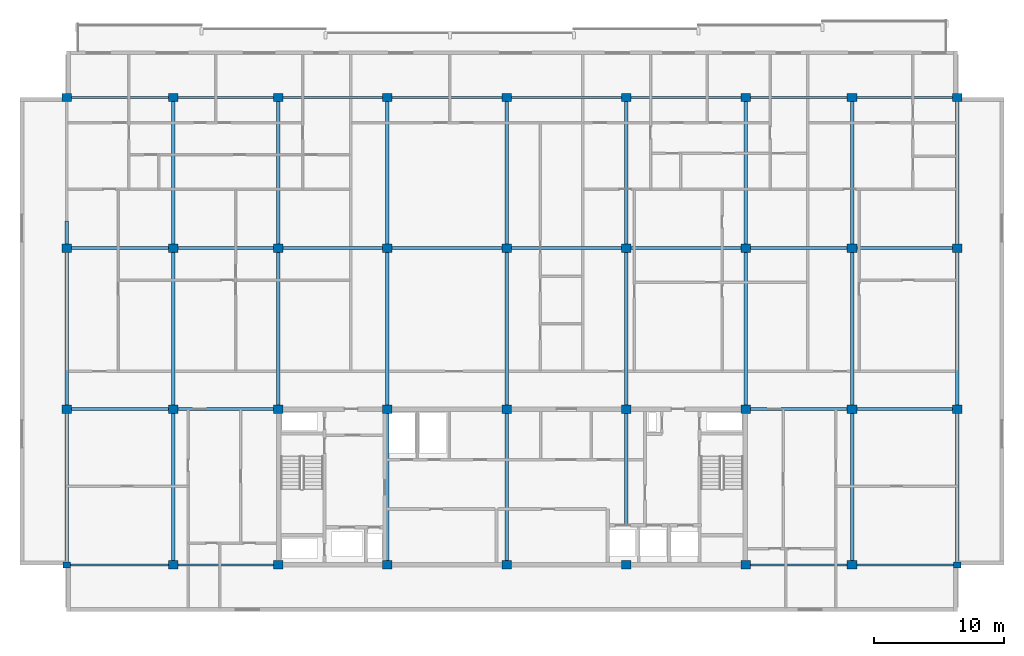
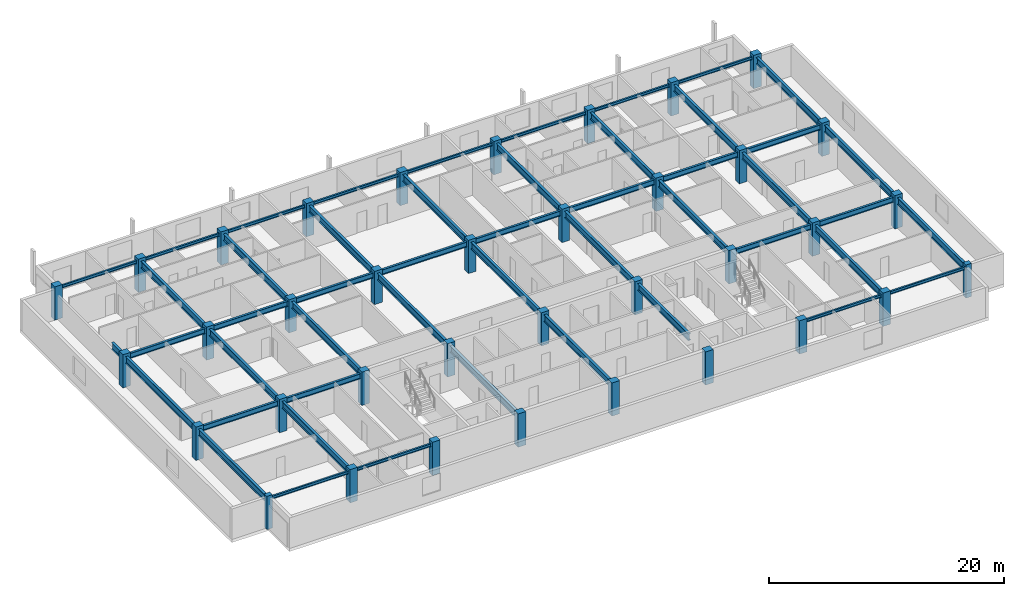
# One storey, part 1 of 10: 49 beams, 36 columns.
"""IFC4 building model written with IfcOpenShell, lengths in metres."""

from ifc_helpers import new_model, si_unit, direction, frame, origin, origin_2d, place, context, subcontext, project, spatial, rectangle, i_section, extrude, material, material_profile, profile_set, type_object, element, save


model = new_model("IFC4")

# Units and contexts
model_context = context("Model", 3, precision=1e-05, world=origin(), true_north=direction((0.0, 1.0)))
body_context = subcontext(model_context, "Body", "Model", "MODEL_VIEW")
ifc_project = project(units=[si_unit("LENGTHUNIT", "METRE"), si_unit("AREAUNIT", "SQUARE_METRE"), si_unit("VOLUMEUNIT", "CUBIC_METRE"), si_unit("PLANEANGLEUNIT", "RADIAN"), si_unit("MASSUNIT", "GRAM", prefix="KILO")], contexts=[model_context])

# Site, building, storey
site_placement = place(None, origin())
site = spatial("IfcSite", under=ifc_project, at=site_placement, CompositionType="ELEMENT")
building_placement = place(site_placement, origin())
building = spatial("IfcBuilding", under=site, at=building_placement, Name="Korimba Cascade Residences", CompositionType="ELEMENT")
storey_placement = place(building_placement, frame((0.0, 0.0, 228.64990234375)))
storey = spatial("IfcBuildingStorey", under=building, at=storey_placement, Name="L66", CompositionType="ELEMENT", Elevation=228.64990234375)

# Columns
ifc_material_1 = material(Name="Concrete C65/80", Category="concrete")
ifc_material_profile_1 = material_profile(ifc_material_1, rectangle(XDim=0.550048828125, YDim=0.449951171875, at=origin_2d()), Name="Concrete C65/80")
ifc_profile_set_1 = profile_set([ifc_material_profile_1], Name="Concrete C65/80")
column_type_1 = type_object("IfcColumnType", Name="COL-PIL-550", PredefinedType="PILASTER", material=ifc_profile_set_1)
for number, where, z_axis, x_axis, name in (
    (1, (59.800048828125, 55.199951171875, 0.0), (0.0, 0.0, 1.0), (1.0, 0.0, 0.0), "L66 Tower 1 Column 1.1"),
    (2, (128.39990234375, 55.199951171875, 0.0), (0.0, 0.0, 1.0), (1.0, 0.0, 0.0), "L66 Tower 1 Column 9.1"),
):
    element("IfcColumn", number, at=place(storey_placement, frame(where, z_axis=z_axis, x_axis=x_axis)), inside=storey, type_object=column_type_1, Name=name, PredefinedType="PILASTER", context=body_context, shape_type="SweptSolid", body=[
        extrude(rectangle(XDim=0.550048828125, YDim=0.449951171875, at=origin_2d()), origin(), (0.0, 0.0, 1.0), 3.4501953125),
    ])
ifc_material_2 = material(Name="Concrete C50/60", Category="concrete")
ifc_material_profile_2 = material_profile(ifc_material_2, rectangle(XDim=0.75, YDim=0.64990234375, at=origin_2d()), Name="Concrete C50/60")
ifc_profile_set_2 = profile_set([ifc_material_profile_2], Name="Concrete C50/60")
column_type_2 = type_object("IfcColumnType", Name="COL-RC-750", PredefinedType="COLUMN", material=ifc_profile_set_2)
for number, where, z_axis, x_axis, name in (
    (3, (59.800048828125, 67.199951171875, 0.0), (0.0, 0.0, 1.0), (1.0, 0.0, 0.0), "L66 Tower 1 Column 1.2"),
    (4, (59.800048828125, 79.60009765625, 0.0), (0.0, 0.0, 1.0), (1.0, 0.0, 0.0), "L66 Tower 1 Column 1.3"),
    (5, (59.800048828125, 91.199951171875, 0.0), (0.0, 0.0, 1.0), (1.0, 0.0, 0.0), "L66 Tower 1 Column 1.4"),
    (6, (68.0, 55.199951171875, 0.0), (0.0, 0.0, 1.0), (1.0, 0.0, 0.0), "L66 Tower 1 Column 2.1"),
    (7, (68.0, 67.199951171875, 0.0), (0.0, 0.0, 1.0), (1.0, 0.0, 0.0), "L66 Tower 1 Column 2.2"),
    (8, (68.0, 79.60009765625, 0.0), (0.0, 0.0, 1.0), (1.0, 0.0, 0.0), "L66 Tower 1 Column 2.3"),
    (9, (68.0, 91.199951171875, 0.0), (0.0, 0.0, 1.0), (1.0, 0.0, 0.0), "L66 Tower 1 Column 2.4"),
    (10, (76.10009765625, 55.199951171875, 0.0), (0.0, 0.0, 1.0), (1.0, 0.0, 0.0), "L66 Tower 1 Column 3.1"),
    (11, (76.10009765625, 67.199951171875, 0.0), (0.0, 0.0, 1.0), (1.0, 0.0, 0.0), "L66 Tower 1 Column 3.2"),
    (12, (76.10009765625, 79.60009765625, 0.0), (0.0, 0.0, 1.0), (1.0, 0.0, 0.0), "L66 Tower 1 Column 3.3"),
    (13, (76.10009765625, 91.199951171875, 0.0), (0.0, 0.0, 1.0), (1.0, 0.0, 0.0), "L66 Tower 1 Column 3.4"),
    (14, (84.5, 55.199951171875, 0.0), (0.0, 0.0, 1.0), (1.0, 0.0, 0.0), "L66 Tower 1 Column 4.1"),
    (15, (84.5, 67.199951171875, 0.0), (0.0, 0.0, 1.0), (1.0, 0.0, 0.0), "L66 Tower 1 Column 4.2"),
    (16, (84.5, 79.60009765625, 0.0), (0.0, 0.0, 1.0), (1.0, 0.0, 0.0), "L66 Tower 1 Column 4.3"),
    (17, (84.5, 91.199951171875, 0.0), (0.0, 0.0, 1.0), (1.0, 0.0, 0.0), "L66 Tower 1 Column 4.4"),
    (18, (93.699951171875, 55.199951171875, 0.0), (0.0, 0.0, 1.0), (1.0, 0.0, 0.0), "L66 Tower 1 Column 5.1"),
    (19, (93.699951171875, 67.199951171875, 0.0), (0.0, 0.0, 1.0), (1.0, 0.0, 0.0), "L66 Tower 1 Column 5.2"),
    (20, (93.699951171875, 79.60009765625, 0.0), (0.0, 0.0, 1.0), (1.0, 0.0, 0.0), "L66 Tower 1 Column 5.3"),
    (21, (93.699951171875, 91.199951171875, 0.0), (0.0, 0.0, 1.0), (1.0, 0.0, 0.0), "L66 Tower 1 Column 5.4"),
    (22, (102.89990234375, 55.199951171875, 0.0), (0.0, 0.0, 1.0), (1.0, 0.0, 0.0), "L66 Tower 1 Column 6.1"),
    (23, (102.89990234375, 67.199951171875, 0.0), (0.0, 0.0, 1.0), (1.0, 0.0, 0.0), "L66 Tower 1 Column 6.2"),
    (24, (102.89990234375, 79.60009765625, 0.0), (0.0, 0.0, 1.0), (1.0, 0.0, 0.0), "L66 Tower 1 Column 6.3"),
    (25, (102.89990234375, 91.199951171875, 0.0), (0.0, 0.0, 1.0), (1.0, 0.0, 0.0), "L66 Tower 1 Column 6.4"),
    (26, (112.10009765625, 55.199951171875, 0.0), (0.0, 0.0, 1.0), (1.0, 0.0, 0.0), "L66 Tower 1 Column 7.1"),
    (27, (112.10009765625, 67.199951171875, 0.0), (0.0, 0.0, 1.0), (1.0, 0.0, 0.0), "L66 Tower 1 Column 7.2"),
    (28, (112.10009765625, 79.60009765625, 0.0), (0.0, 0.0, 1.0), (1.0, 0.0, 0.0), "L66 Tower 1 Column 7.3"),
    (29, (112.10009765625, 91.199951171875, 0.0), (0.0, 0.0, 1.0), (1.0, 0.0, 0.0), "L66 Tower 1 Column 7.4"),
    (30, (120.300048828125, 55.199951171875, 0.0), (0.0, 0.0, 1.0), (1.0, 0.0, 0.0), "L66 Tower 1 Column 8.1"),
    (31, (120.300048828125, 67.199951171875, 0.0), (0.0, 0.0, 1.0), (1.0, 0.0, 0.0), "L66 Tower 1 Column 8.2"),
    (32, (120.300048828125, 79.60009765625, 0.0), (0.0, 0.0, 1.0), (1.0, 0.0, 0.0), "L66 Tower 1 Column 8.3"),
    (33, (120.300048828125, 91.199951171875, 0.0), (0.0, 0.0, 1.0), (1.0, 0.0, 0.0), "L66 Tower 1 Column 8.4"),
    (34, (128.39990234375, 67.199951171875, 0.0), (0.0, 0.0, 1.0), (1.0, 0.0, 0.0), "L66 Tower 1 Column 9.2"),
    (35, (128.39990234375, 79.60009765625, 0.0), (0.0, 0.0, 1.0), (1.0, 0.0, 0.0), "L66 Tower 1 Column 9.3"),
    (36, (128.39990234375, 91.199951171875, 0.0), (0.0, 0.0, 1.0), (1.0, 0.0, 0.0), "L66 Tower 1 Column 9.4"),
):
    element("IfcColumn", number, at=place(storey_placement, frame(where, z_axis=z_axis, x_axis=x_axis)), inside=storey, type_object=column_type_2, Name=name, PredefinedType="COLUMN", context=body_context, shape_type="SweptSolid", body=[
        extrude(rectangle(XDim=0.75, YDim=0.64990234375, at=origin_2d()), origin(), (0.0, 0.0, 1.0), 3.4501953125),
    ])

# Beams
ifc_material_3 = material(Name="Steel S355", Category="steel")
ifc_material_profile_3 = material_profile(ifc_material_3, i_section(OverallWidth=0.165771484375, OverallDepth=0.306640625, WebThickness=0.006591796875, FlangeThickness=0.01171875, FilletRadius=0.0087890625, at=origin_2d()), Name="Steel S355")
ifc_profile_set_3 = profile_set([ifc_material_profile_3], Name="Steel S355")
beam_type_1 = type_object("IfcBeamType", Name="BM-STL-UB305", PredefinedType="SPANDREL", material=ifc_profile_set_3)
beam_1_placement = place(storey_placement, frame((60.074951171875, 55.199951171875, 3.016845703125), z_axis=(1.0, 0.0, 0.0), x_axis=(0.0, 1.0, 0.0)))
element("IfcBeam", 37, at=beam_1_placement, inside=storey, type_object=beam_type_1, Name="L66 T1 E-W Girder Y1 Bay 1", PredefinedType="SPANDREL", context=body_context, shape_type="SweptSolid", body=[
    extrude(i_section(OverallWidth=0.165771484375, OverallDepth=0.306640625, WebThickness=0.006591796875, FlangeThickness=0.01171875, FilletRadius=0.0087890625, at=origin_2d()), origin(), (0.0, 0.0, 1.0), 7.550048828125),
])
beam_2_placement = place(storey_placement, frame((68.375, 55.199951171875, 3.016845703125), z_axis=(1.0, 0.0, 0.0), x_axis=(0.0, 1.0, 0.0)))
element("IfcBeam", 38, at=beam_2_placement, inside=storey, type_object=beam_type_1, Name="L66 T1 E-W Girder Y1 Bay 2", PredefinedType="SPANDREL", context=body_context, shape_type="SweptSolid", body=[
    extrude(i_section(OverallWidth=0.165771484375, OverallDepth=0.306640625, WebThickness=0.006591796875, FlangeThickness=0.01171875, FilletRadius=0.0087890625, at=origin_2d()), origin(), (0.0, 0.0, 1.0), 7.35009765625),
])
for number, where, z_axis, x_axis, name in (
    (39, (112.47509765625, 55.199951171875, 3.016845703125), (1.0, 0.0, 0.0), (0.0, 1.0, 0.0), "L66 T1 E-W Girder Y1 Bay 7"),
    (40, (120.675048828125, 55.199951171875, 3.016845703125), (1.0, 0.0, 0.0), (0.0, 1.0, 0.0), "L66 T1 E-W Girder Y1 Bay 8"),
    (41, (60.175048828125, 91.199951171875, 3.016845703125), (1.0, 0.0, 0.0), (0.0, 1.0, 0.0), "L66 T1 E-W Girder Y4 Bay 1"),
):
    element("IfcBeam", number, at=place(storey_placement, frame(where, z_axis=z_axis, x_axis=x_axis)), inside=storey, type_object=beam_type_1, Name=name, PredefinedType="SPANDREL", context=body_context, shape_type="SweptSolid", body=[
        extrude(i_section(OverallWidth=0.165771484375, OverallDepth=0.306640625, WebThickness=0.006591796875, FlangeThickness=0.01171875, FilletRadius=0.0087890625, at=origin_2d()), origin(), (0.0, 0.0, 1.0), 7.449951171875),
    ])
beam_3_placement = place(storey_placement, frame((68.375, 91.199951171875, 3.016845703125), z_axis=(1.0, 0.0, 0.0), x_axis=(0.0, 1.0, 0.0)))
element("IfcBeam", 42, at=beam_3_placement, inside=storey, type_object=beam_type_1, Name="L66 T1 E-W Girder Y4 Bay 2", PredefinedType="SPANDREL", context=body_context, shape_type="SweptSolid", body=[
    extrude(i_section(OverallWidth=0.165771484375, OverallDepth=0.306640625, WebThickness=0.006591796875, FlangeThickness=0.01171875, FilletRadius=0.0087890625, at=origin_2d()), origin(), (0.0, 0.0, 1.0), 7.35009765625),
])
beam_4_placement = place(storey_placement, frame((76.47509765625, 91.199951171875, 3.016845703125), z_axis=(1.0, 0.0, 0.0), x_axis=(0.0, 1.0, 0.0)))
element("IfcBeam", 43, at=beam_4_placement, inside=storey, type_object=beam_type_1, Name="L66 T1 E-W Girder Y4 Bay 3", PredefinedType="SPANDREL", context=body_context, shape_type="SweptSolid", body=[
    extrude(i_section(OverallWidth=0.165771484375, OverallDepth=0.306640625, WebThickness=0.006591796875, FlangeThickness=0.01171875, FilletRadius=0.0087890625, at=origin_2d()), origin(), (0.0, 0.0, 1.0), 7.64990234375),
])
for number, where, z_axis, x_axis, name in (
    (44, (84.875, 91.199951171875, 3.016845703125), (1.0, 0.0, 0.0), (0.0, 1.0, 0.0), "L66 T1 E-W Girder Y4 Bay 4"),
    (45, (94.074951171875, 91.199951171875, 3.016845703125), (1.0, 0.0, 0.0), (0.0, 1.0, 0.0), "L66 T1 E-W Girder Y4 Bay 5"),
):
    element("IfcBeam", number, at=place(storey_placement, frame(where, z_axis=z_axis, x_axis=x_axis)), inside=storey, type_object=beam_type_1, Name=name, PredefinedType="SPANDREL", context=body_context, shape_type="SweptSolid", body=[
        extrude(i_section(OverallWidth=0.165771484375, OverallDepth=0.306640625, WebThickness=0.006591796875, FlangeThickness=0.01171875, FilletRadius=0.0087890625, at=origin_2d()), origin(), (0.0, 0.0, 1.0), 8.449951171875),
    ])
beam_5_placement = place(storey_placement, frame((103.27490234375, 91.199951171875, 3.016845703125), z_axis=(1.0, 0.0, 0.0), x_axis=(0.0, 1.0, 0.0)))
element("IfcBeam", 46, at=beam_5_placement, inside=storey, type_object=beam_type_1, Name="L66 T1 E-W Girder Y4 Bay 6", PredefinedType="SPANDREL", context=body_context, shape_type="SweptSolid", body=[
    extrude(i_section(OverallWidth=0.165771484375, OverallDepth=0.306640625, WebThickness=0.006591796875, FlangeThickness=0.01171875, FilletRadius=0.0087890625, at=origin_2d()), origin(), (0.0, 0.0, 1.0), 8.4501953125),
])
beam_6_placement = place(storey_placement, frame((112.47509765625, 91.199951171875, 3.016845703125), z_axis=(1.0, 0.0, 0.0), x_axis=(0.0, 1.0, 0.0)))
element("IfcBeam", 47, at=beam_6_placement, inside=storey, type_object=beam_type_1, Name="L66 T1 E-W Girder Y4 Bay 7", PredefinedType="SPANDREL", context=body_context, shape_type="SweptSolid", body=[
    extrude(i_section(OverallWidth=0.165771484375, OverallDepth=0.306640625, WebThickness=0.006591796875, FlangeThickness=0.01171875, FilletRadius=0.0087890625, at=origin_2d()), origin(), (0.0, 0.0, 1.0), 7.449951171875),
])
beam_7_placement = place(storey_placement, frame((120.675048828125, 91.199951171875, 3.016845703125), z_axis=(1.0, 0.0, 0.0), x_axis=(0.0, 1.0, 0.0)))
element("IfcBeam", 48, at=beam_7_placement, inside=storey, type_object=beam_type_1, Name="L66 T1 E-W Girder Y4 Bay 8", PredefinedType="SPANDREL", context=body_context, shape_type="SweptSolid", body=[
    extrude(i_section(OverallWidth=0.165771484375, OverallDepth=0.306640625, WebThickness=0.006591796875, FlangeThickness=0.01171875, FilletRadius=0.0087890625, at=origin_2d()), origin(), (0.0, 0.0, 1.0), 7.349853515625),
])
ifc_material_profile_4 = material_profile(ifc_material_3, i_section(OverallWidth=0.2099609375, OverallDepth=0.53662109375, WebThickness=0.0107421875, FlangeThickness=0.017333984375, FilletRadius=0.0126953125, at=origin_2d()), Name="Steel S355")
ifc_profile_set_4 = profile_set([ifc_material_profile_4], Name="Steel S355")
beam_type_2 = type_object("IfcBeamType", Name="BM-STL-UB533", PredefinedType="BEAM", material=ifc_profile_set_4)
beam_8_placement = place(storey_placement, frame((60.175048828125, 67.199951171875, 2.901611328125), z_axis=(1.0, 0.0, 0.0), x_axis=(0.0, 1.0, 0.0)))
element("IfcBeam", 49, at=beam_8_placement, inside=storey, type_object=beam_type_2, Name="L66 T1 E-W Girder Y2 Bay 1", PredefinedType="BEAM", context=body_context, shape_type="SweptSolid", body=[
    extrude(i_section(OverallWidth=0.2099609375, OverallDepth=0.53662109375, WebThickness=0.0107421875, FlangeThickness=0.017333984375, FilletRadius=0.0126953125, at=origin_2d()), origin(), (0.0, 0.0, 1.0), 7.449951171875),
])
beam_9_placement = place(storey_placement, frame((68.375, 67.199951171875, 2.901611328125), z_axis=(1.0, 0.0, 0.0), x_axis=(0.0, 1.0, 0.0)))
element("IfcBeam", 50, at=beam_9_placement, inside=storey, type_object=beam_type_2, Name="L66 T1 E-W Girder Y2 Bay 2", PredefinedType="BEAM", context=body_context, shape_type="SweptSolid", body=[
    extrude(i_section(OverallWidth=0.2099609375, OverallDepth=0.53662109375, WebThickness=0.0107421875, FlangeThickness=0.017333984375, FilletRadius=0.0126953125, at=origin_2d()), origin(), (0.0, 0.0, 1.0), 7.35009765625),
])
beam_10_placement = place(storey_placement, frame((112.47509765625, 67.199951171875, 2.901611328125), z_axis=(1.0, 0.0, 0.0), x_axis=(0.0, 1.0, 0.0)))
element("IfcBeam", 51, at=beam_10_placement, inside=storey, type_object=beam_type_2, Name="L66 T1 E-W Girder Y2 Bay 7", PredefinedType="BEAM", context=body_context, shape_type="SweptSolid", body=[
    extrude(i_section(OverallWidth=0.2099609375, OverallDepth=0.53662109375, WebThickness=0.0107421875, FlangeThickness=0.017333984375, FilletRadius=0.0126953125, at=origin_2d()), origin(), (0.0, 0.0, 1.0), 7.449951171875),
])
beam_11_placement = place(storey_placement, frame((120.675048828125, 67.199951171875, 2.901611328125), z_axis=(1.0, 0.0, 0.0), x_axis=(0.0, 1.0, 0.0)))
element("IfcBeam", 52, at=beam_11_placement, inside=storey, type_object=beam_type_2, Name="L66 T1 E-W Girder Y2 Bay 8", PredefinedType="BEAM", context=body_context, shape_type="SweptSolid", body=[
    extrude(i_section(OverallWidth=0.2099609375, OverallDepth=0.53662109375, WebThickness=0.0107421875, FlangeThickness=0.017333984375, FilletRadius=0.0126953125, at=origin_2d()), origin(), (0.0, 0.0, 1.0), 7.349853515625),
])
beam_12_placement = place(storey_placement, frame((60.175048828125, 79.60009765625, 2.901611328125), z_axis=(1.0, 0.0, 0.0), x_axis=(0.0, 1.0, 0.0)))
element("IfcBeam", 53, at=beam_12_placement, inside=storey, type_object=beam_type_2, Name="L66 T1 E-W Girder Y3 Bay 1", PredefinedType="BEAM", context=body_context, shape_type="SweptSolid", body=[
    extrude(i_section(OverallWidth=0.2099609375, OverallDepth=0.53662109375, WebThickness=0.0107421875, FlangeThickness=0.017333984375, FilletRadius=0.0126953125, at=origin_2d()), origin(), (0.0, 0.0, 1.0), 7.449951171875),
])
beam_13_placement = place(storey_placement, frame((68.375, 79.60009765625, 2.901611328125), z_axis=(1.0, 0.0, 0.0), x_axis=(0.0, 1.0, 0.0)))
element("IfcBeam", 54, at=beam_13_placement, inside=storey, type_object=beam_type_2, Name="L66 T1 E-W Girder Y3 Bay 2", PredefinedType="BEAM", context=body_context, shape_type="SweptSolid", body=[
    extrude(i_section(OverallWidth=0.2099609375, OverallDepth=0.53662109375, WebThickness=0.0107421875, FlangeThickness=0.017333984375, FilletRadius=0.0126953125, at=origin_2d()), origin(), (0.0, 0.0, 1.0), 7.35009765625),
])
beam_14_placement = place(storey_placement, frame((76.47509765625, 79.60009765625, 2.901611328125), z_axis=(1.0, 0.0, 0.0), x_axis=(0.0, 1.0, 0.0)))
element("IfcBeam", 55, at=beam_14_placement, inside=storey, type_object=beam_type_2, Name="L66 T1 E-W Girder Y3 Bay 3", PredefinedType="BEAM", context=body_context, shape_type="SweptSolid", body=[
    extrude(i_section(OverallWidth=0.2099609375, OverallDepth=0.53662109375, WebThickness=0.0107421875, FlangeThickness=0.017333984375, FilletRadius=0.0126953125, at=origin_2d()), origin(), (0.0, 0.0, 1.0), 7.64990234375),
])
for number, where, z_axis, x_axis, name in (
    (56, (84.875, 79.60009765625, 2.901611328125), (1.0, 0.0, 0.0), (0.0, 1.0, 0.0), "L66 T1 E-W Girder Y3 Bay 4"),
    (57, (94.074951171875, 79.60009765625, 2.901611328125), (1.0, 0.0, 0.0), (0.0, 1.0, 0.0), "L66 T1 E-W Girder Y3 Bay 5"),
):
    element("IfcBeam", number, at=place(storey_placement, frame(where, z_axis=z_axis, x_axis=x_axis)), inside=storey, type_object=beam_type_2, Name=name, PredefinedType="BEAM", context=body_context, shape_type="SweptSolid", body=[
        extrude(i_section(OverallWidth=0.2099609375, OverallDepth=0.53662109375, WebThickness=0.0107421875, FlangeThickness=0.017333984375, FilletRadius=0.0126953125, at=origin_2d()), origin(), (0.0, 0.0, 1.0), 8.449951171875),
    ])
beam_15_placement = place(storey_placement, frame((103.27490234375, 79.60009765625, 2.901611328125), z_axis=(1.0, 0.0, 0.0), x_axis=(0.0, 1.0, 0.0)))
element("IfcBeam", 58, at=beam_15_placement, inside=storey, type_object=beam_type_2, Name="L66 T1 E-W Girder Y3 Bay 6", PredefinedType="BEAM", context=body_context, shape_type="SweptSolid", body=[
    extrude(i_section(OverallWidth=0.2099609375, OverallDepth=0.53662109375, WebThickness=0.0107421875, FlangeThickness=0.017333984375, FilletRadius=0.0126953125, at=origin_2d()), origin(), (0.0, 0.0, 1.0), 8.4501953125),
])
beam_16_placement = place(storey_placement, frame((112.47509765625, 79.60009765625, 2.901611328125), z_axis=(1.0, 0.0, 0.0), x_axis=(0.0, 1.0, 0.0)))
element("IfcBeam", 59, at=beam_16_placement, inside=storey, type_object=beam_type_2, Name="L66 T1 E-W Girder Y3 Bay 7", PredefinedType="BEAM", context=body_context, shape_type="SweptSolid", body=[
    extrude(i_section(OverallWidth=0.2099609375, OverallDepth=0.53662109375, WebThickness=0.0107421875, FlangeThickness=0.017333984375, FilletRadius=0.0126953125, at=origin_2d()), origin(), (0.0, 0.0, 1.0), 7.449951171875),
])
beam_17_placement = place(storey_placement, frame((120.675048828125, 79.60009765625, 2.901611328125), z_axis=(1.0, 0.0, 0.0), x_axis=(0.0, 1.0, 0.0)))
element("IfcBeam", 60, at=beam_17_placement, inside=storey, type_object=beam_type_2, Name="L66 T1 E-W Girder Y3 Bay 8", PredefinedType="BEAM", context=body_context, shape_type="SweptSolid", body=[
    extrude(i_section(OverallWidth=0.2099609375, OverallDepth=0.53662109375, WebThickness=0.0107421875, FlangeThickness=0.017333984375, FilletRadius=0.0126953125, at=origin_2d()), origin(), (0.0, 0.0, 1.0), 7.349853515625),
])
ifc_material_profile_5 = material_profile(ifc_material_3, i_section(OverallWidth=0.255859375, OverallDepth=0.69287109375, WebThickness=0.014404296875, FlangeThickness=0.023681640625, FilletRadius=0.01513671875, at=origin_2d()), Name="Steel S355")
ifc_profile_set_5 = profile_set([ifc_material_profile_5], Name="Steel S355")
beam_type_3 = type_object("IfcBeamType", Name="BM-STL-UB686", PredefinedType="BEAM", material=ifc_profile_set_5)
beam_18_placement = place(storey_placement, frame((59.800048828125, 55.425048828125, 2.823486328125), z_axis=(0.0, 1.0, 0.0), x_axis=(-1.0, 0.0, 0.0)))
element("IfcBeam", 61, at=beam_18_placement, inside=storey, type_object=beam_type_3, Name="L66 T1 N-S Girder X1 Seg 1", PredefinedType="BEAM", context=body_context, shape_type="SweptSolid", body=[
    extrude(i_section(OverallWidth=0.255859375, OverallDepth=0.69287109375, WebThickness=0.014404296875, FlangeThickness=0.023681640625, FilletRadius=0.01513671875, at=origin_2d()), origin(), (0.0, 0.0, 1.0), 11.449951171875),
])
beam_19_placement = place(storey_placement, frame((59.800048828125, 67.52490234375, 2.823486328125), z_axis=(0.0, 1.0, 0.0), x_axis=(-1.0, 0.0, 0.0)))
element("IfcBeam", 62, at=beam_19_placement, inside=storey, type_object=beam_type_3, Name="L66 T1 N-S Girder X1 Seg 2", PredefinedType="BEAM", context=body_context, shape_type="SweptSolid", body=[
    extrude(i_section(OverallWidth=0.255859375, OverallDepth=0.69287109375, WebThickness=0.014404296875, FlangeThickness=0.023681640625, FilletRadius=0.01513671875, at=origin_2d()), origin(), (0.0, 0.0, 1.0), 11.75),
])
beam_20_placement = place(storey_placement, frame((59.800048828125, 79.925048828125, 2.823486328125), z_axis=(0.0, 1.0, 0.0), x_axis=(-1.0, 0.0, 0.0)))
element("IfcBeam", 63, at=beam_20_placement, inside=storey, type_object=beam_type_3, Name="L66 T1 N-S Girder X1 Seg 3", PredefinedType="BEAM", context=body_context, shape_type="SweptSolid", body=[
    extrude(i_section(OverallWidth=0.255859375, OverallDepth=0.69287109375, WebThickness=0.014404296875, FlangeThickness=0.023681640625, FilletRadius=0.01513671875, at=origin_2d()), origin(), (0.0, 0.0, 1.0), 1.77490234375),
])
beam_21_placement = place(storey_placement, frame((68.0, 55.52490234375, 2.823486328125), z_axis=(0.0, 1.0, 0.0), x_axis=(-1.0, 0.0, 0.0)))
element("IfcBeam", 64, at=beam_21_placement, inside=storey, type_object=beam_type_3, Name="L66 T1 N-S Girder X2 Seg 1", PredefinedType="BEAM", context=body_context, shape_type="SweptSolid", body=[
    extrude(i_section(OverallWidth=0.255859375, OverallDepth=0.69287109375, WebThickness=0.014404296875, FlangeThickness=0.023681640625, FilletRadius=0.01513671875, at=origin_2d()), origin(), (0.0, 0.0, 1.0), 11.35009765625),
])
beam_22_placement = place(storey_placement, frame((68.0, 67.52490234375, 2.823486328125), z_axis=(0.0, 1.0, 0.0), x_axis=(-1.0, 0.0, 0.0)))
element("IfcBeam", 65, at=beam_22_placement, inside=storey, type_object=beam_type_3, Name="L66 T1 N-S Girder X2 Seg 2", PredefinedType="BEAM", context=body_context, shape_type="SweptSolid", body=[
    extrude(i_section(OverallWidth=0.255859375, OverallDepth=0.69287109375, WebThickness=0.014404296875, FlangeThickness=0.023681640625, FilletRadius=0.01513671875, at=origin_2d()), origin(), (0.0, 0.0, 1.0), 11.75),
])
beam_23_placement = place(storey_placement, frame((68.0, 79.925048828125, 2.823486328125), z_axis=(0.0, 1.0, 0.0), x_axis=(-1.0, 0.0, 0.0)))
element("IfcBeam", 66, at=beam_23_placement, inside=storey, type_object=beam_type_3, Name="L66 T1 N-S Girder X2 Seg 3", PredefinedType="BEAM", context=body_context, shape_type="SweptSolid", body=[
    extrude(i_section(OverallWidth=0.255859375, OverallDepth=0.69287109375, WebThickness=0.014404296875, FlangeThickness=0.023681640625, FilletRadius=0.01513671875, at=origin_2d()), origin(), (0.0, 0.0, 1.0), 10.949951171875),
])
beam_24_placement = place(storey_placement, frame((76.10009765625, 67.52490234375, 2.823486328125), z_axis=(0.0, 1.0, 0.0), x_axis=(-1.0, 0.0, 0.0)))
element("IfcBeam", 67, at=beam_24_placement, inside=storey, type_object=beam_type_3, Name="L66 T1 N-S Girder X3 Seg 2", PredefinedType="BEAM", context=body_context, shape_type="SweptSolid", body=[
    extrude(i_section(OverallWidth=0.255859375, OverallDepth=0.69287109375, WebThickness=0.014404296875, FlangeThickness=0.023681640625, FilletRadius=0.01513671875, at=origin_2d()), origin(), (0.0, 0.0, 1.0), 11.75),
])
beam_25_placement = place(storey_placement, frame((76.10009765625, 79.925048828125, 2.823486328125), z_axis=(0.0, 1.0, 0.0), x_axis=(-1.0, 0.0, 0.0)))
element("IfcBeam", 68, at=beam_25_placement, inside=storey, type_object=beam_type_3, Name="L66 T1 N-S Girder X3 Seg 3", PredefinedType="BEAM", context=body_context, shape_type="SweptSolid", body=[
    extrude(i_section(OverallWidth=0.255859375, OverallDepth=0.69287109375, WebThickness=0.014404296875, FlangeThickness=0.023681640625, FilletRadius=0.01513671875, at=origin_2d()), origin(), (0.0, 0.0, 1.0), 10.949951171875),
])
beam_26_placement = place(storey_placement, frame((84.5, 55.52490234375, 2.823486328125), z_axis=(0.0, 1.0, 0.0), x_axis=(-1.0, 0.0, 0.0)))
element("IfcBeam", 69, at=beam_26_placement, inside=storey, type_object=beam_type_3, Name="L66 T1 N-S Girder X4 Seg 1", PredefinedType="BEAM", context=body_context, shape_type="SweptSolid", body=[
    extrude(i_section(OverallWidth=0.255859375, OverallDepth=0.69287109375, WebThickness=0.014404296875, FlangeThickness=0.023681640625, FilletRadius=0.01513671875, at=origin_2d()), origin(), (0.0, 0.0, 1.0), 11.35009765625),
])
beam_27_placement = place(storey_placement, frame((84.5, 67.52490234375, 2.823486328125), z_axis=(0.0, 1.0, 0.0), x_axis=(-1.0, 0.0, 0.0)))
element("IfcBeam", 70, at=beam_27_placement, inside=storey, type_object=beam_type_3, Name="L66 T1 N-S Girder X4 Seg 2", PredefinedType="BEAM", context=body_context, shape_type="SweptSolid", body=[
    extrude(i_section(OverallWidth=0.255859375, OverallDepth=0.69287109375, WebThickness=0.014404296875, FlangeThickness=0.023681640625, FilletRadius=0.01513671875, at=origin_2d()), origin(), (0.0, 0.0, 1.0), 11.75),
])
beam_28_placement = place(storey_placement, frame((84.5, 79.925048828125, 2.823486328125), z_axis=(0.0, 1.0, 0.0), x_axis=(-1.0, 0.0, 0.0)))
element("IfcBeam", 71, at=beam_28_placement, inside=storey, type_object=beam_type_3, Name="L66 T1 N-S Girder X4 Seg 3", PredefinedType="BEAM", context=body_context, shape_type="SweptSolid", body=[
    extrude(i_section(OverallWidth=0.255859375, OverallDepth=0.69287109375, WebThickness=0.014404296875, FlangeThickness=0.023681640625, FilletRadius=0.01513671875, at=origin_2d()), origin(), (0.0, 0.0, 1.0), 10.949951171875),
])
beam_29_placement = place(storey_placement, frame((93.699951171875, 55.52490234375, 2.823486328125), z_axis=(0.0, 1.0, 0.0), x_axis=(-1.0, 0.0, 0.0)))
element("IfcBeam", 72, at=beam_29_placement, inside=storey, type_object=beam_type_3, Name="L66 T1 N-S Girder X5 Seg 1", PredefinedType="BEAM", context=body_context, shape_type="SweptSolid", body=[
    extrude(i_section(OverallWidth=0.255859375, OverallDepth=0.69287109375, WebThickness=0.014404296875, FlangeThickness=0.023681640625, FilletRadius=0.01513671875, at=origin_2d()), origin(), (0.0, 0.0, 1.0), 11.35009765625),
])
beam_30_placement = place(storey_placement, frame((93.699951171875, 67.52490234375, 2.823486328125), z_axis=(0.0, 1.0, 0.0), x_axis=(-1.0, 0.0, 0.0)))
element("IfcBeam", 73, at=beam_30_placement, inside=storey, type_object=beam_type_3, Name="L66 T1 N-S Girder X5 Seg 2", PredefinedType="BEAM", context=body_context, shape_type="SweptSolid", body=[
    extrude(i_section(OverallWidth=0.255859375, OverallDepth=0.69287109375, WebThickness=0.014404296875, FlangeThickness=0.023681640625, FilletRadius=0.01513671875, at=origin_2d()), origin(), (0.0, 0.0, 1.0), 11.75),
])
beam_31_placement = place(storey_placement, frame((93.699951171875, 79.925048828125, 2.823486328125), z_axis=(0.0, 1.0, 0.0), x_axis=(-1.0, 0.0, 0.0)))
element("IfcBeam", 74, at=beam_31_placement, inside=storey, type_object=beam_type_3, Name="L66 T1 N-S Girder X5 Seg 3", PredefinedType="BEAM", context=body_context, shape_type="SweptSolid", body=[
    extrude(i_section(OverallWidth=0.255859375, OverallDepth=0.69287109375, WebThickness=0.014404296875, FlangeThickness=0.023681640625, FilletRadius=0.01513671875, at=origin_2d()), origin(), (0.0, 0.0, 1.0), 10.949951171875),
])
beam_32_placement = place(storey_placement, frame((102.89990234375, 58.260009765625, 2.823486328125), z_axis=(0.0, 1.0, 0.0), x_axis=(-1.0, 0.0, 0.0)))
element("IfcBeam", 75, at=beam_32_placement, inside=storey, type_object=beam_type_3, Name="L66 T1 N-S Girder X6 Seg 1", PredefinedType="BEAM", context=body_context, shape_type="SweptSolid", body=[
    extrude(i_section(OverallWidth=0.255859375, OverallDepth=0.69287109375, WebThickness=0.014404296875, FlangeThickness=0.023681640625, FilletRadius=0.01513671875, at=origin_2d()), origin(), (0.0, 0.0, 1.0), 8.614990234375),
])
beam_33_placement = place(storey_placement, frame((102.89990234375, 67.52490234375, 2.823486328125), z_axis=(0.0, 1.0, 0.0), x_axis=(-1.0, 0.0, 0.0)))
element("IfcBeam", 76, at=beam_33_placement, inside=storey, type_object=beam_type_3, Name="L66 T1 N-S Girder X6 Seg 2", PredefinedType="BEAM", context=body_context, shape_type="SweptSolid", body=[
    extrude(i_section(OverallWidth=0.255859375, OverallDepth=0.69287109375, WebThickness=0.014404296875, FlangeThickness=0.023681640625, FilletRadius=0.01513671875, at=origin_2d()), origin(), (0.0, 0.0, 1.0), 11.75),
])
beam_34_placement = place(storey_placement, frame((102.89990234375, 79.925048828125, 2.823486328125), z_axis=(0.0, 1.0, 0.0), x_axis=(-1.0, 0.0, 0.0)))
element("IfcBeam", 77, at=beam_34_placement, inside=storey, type_object=beam_type_3, Name="L66 T1 N-S Girder X6 Seg 3", PredefinedType="BEAM", context=body_context, shape_type="SweptSolid", body=[
    extrude(i_section(OverallWidth=0.255859375, OverallDepth=0.69287109375, WebThickness=0.014404296875, FlangeThickness=0.023681640625, FilletRadius=0.01513671875, at=origin_2d()), origin(), (0.0, 0.0, 1.0), 10.949951171875),
])
beam_35_placement = place(storey_placement, frame((112.10009765625, 67.52490234375, 2.823486328125), z_axis=(0.0, 1.0, 0.0), x_axis=(-1.0, 0.0, 0.0)))
element("IfcBeam", 78, at=beam_35_placement, inside=storey, type_object=beam_type_3, Name="L66 T1 N-S Girder X7 Seg 2", PredefinedType="BEAM", context=body_context, shape_type="SweptSolid", body=[
    extrude(i_section(OverallWidth=0.255859375, OverallDepth=0.69287109375, WebThickness=0.014404296875, FlangeThickness=0.023681640625, FilletRadius=0.01513671875, at=origin_2d()), origin(), (0.0, 0.0, 1.0), 11.75),
])
beam_36_placement = place(storey_placement, frame((112.10009765625, 79.925048828125, 2.823486328125), z_axis=(0.0, 1.0, 0.0), x_axis=(-1.0, 0.0, 0.0)))
element("IfcBeam", 79, at=beam_36_placement, inside=storey, type_object=beam_type_3, Name="L66 T1 N-S Girder X7 Seg 3", PredefinedType="BEAM", context=body_context, shape_type="SweptSolid", body=[
    extrude(i_section(OverallWidth=0.255859375, OverallDepth=0.69287109375, WebThickness=0.014404296875, FlangeThickness=0.023681640625, FilletRadius=0.01513671875, at=origin_2d()), origin(), (0.0, 0.0, 1.0), 10.949951171875),
])
beam_37_placement = place(storey_placement, frame((120.300048828125, 55.52490234375, 2.823486328125), z_axis=(0.0, 1.0, 0.0), x_axis=(-1.0, 0.0, 0.0)))
element("IfcBeam", 80, at=beam_37_placement, inside=storey, type_object=beam_type_3, Name="L66 T1 N-S Girder X8 Seg 1", PredefinedType="BEAM", context=body_context, shape_type="SweptSolid", body=[
    extrude(i_section(OverallWidth=0.255859375, OverallDepth=0.69287109375, WebThickness=0.014404296875, FlangeThickness=0.023681640625, FilletRadius=0.01513671875, at=origin_2d()), origin(), (0.0, 0.0, 1.0), 11.35009765625),
])
beam_38_placement = place(storey_placement, frame((120.300048828125, 67.52490234375, 2.823486328125), z_axis=(0.0, 1.0, 0.0), x_axis=(-1.0, 0.0, 0.0)))
element("IfcBeam", 81, at=beam_38_placement, inside=storey, type_object=beam_type_3, Name="L66 T1 N-S Girder X8 Seg 2", PredefinedType="BEAM", context=body_context, shape_type="SweptSolid", body=[
    extrude(i_section(OverallWidth=0.255859375, OverallDepth=0.69287109375, WebThickness=0.014404296875, FlangeThickness=0.023681640625, FilletRadius=0.01513671875, at=origin_2d()), origin(), (0.0, 0.0, 1.0), 11.75),
])
beam_39_placement = place(storey_placement, frame((120.300048828125, 79.925048828125, 2.823486328125), z_axis=(0.0, 1.0, 0.0), x_axis=(-1.0, 0.0, 0.0)))
element("IfcBeam", 82, at=beam_39_placement, inside=storey, type_object=beam_type_3, Name="L66 T1 N-S Girder X8 Seg 3", PredefinedType="BEAM", context=body_context, shape_type="SweptSolid", body=[
    extrude(i_section(OverallWidth=0.255859375, OverallDepth=0.69287109375, WebThickness=0.014404296875, FlangeThickness=0.023681640625, FilletRadius=0.01513671875, at=origin_2d()), origin(), (0.0, 0.0, 1.0), 10.949951171875),
])
beam_40_placement = place(storey_placement, frame((128.39990234375, 55.425048828125, 2.823486328125), z_axis=(0.0, 1.0, 0.0), x_axis=(-1.0, 0.0, 0.0)))
element("IfcBeam", 83, at=beam_40_placement, inside=storey, type_object=beam_type_3, Name="L66 T1 N-S Girder X9 Seg 1", PredefinedType="BEAM", context=body_context, shape_type="SweptSolid", body=[
    extrude(i_section(OverallWidth=0.255859375, OverallDepth=0.69287109375, WebThickness=0.014404296875, FlangeThickness=0.023681640625, FilletRadius=0.01513671875, at=origin_2d()), origin(), (0.0, 0.0, 1.0), 11.449951171875),
])
beam_41_placement = place(storey_placement, frame((128.39990234375, 67.52490234375, 2.823486328125), z_axis=(0.0, 1.0, 0.0), x_axis=(-1.0, 0.0, 0.0)))
element("IfcBeam", 84, at=beam_41_placement, inside=storey, type_object=beam_type_3, Name="L66 T1 N-S Girder X9 Seg 2", PredefinedType="BEAM", context=body_context, shape_type="SweptSolid", body=[
    extrude(i_section(OverallWidth=0.255859375, OverallDepth=0.69287109375, WebThickness=0.014404296875, FlangeThickness=0.023681640625, FilletRadius=0.01513671875, at=origin_2d()), origin(), (0.0, 0.0, 1.0), 11.75),
])
beam_42_placement = place(storey_placement, frame((128.39990234375, 79.925048828125, 2.823486328125), z_axis=(0.0, 1.0, 0.0), x_axis=(-1.0, 0.0, 0.0)))
element("IfcBeam", 85, at=beam_42_placement, inside=storey, type_object=beam_type_3, Name="L66 T1 N-S Girder X9 Seg 3", PredefinedType="BEAM", context=body_context, shape_type="SweptSolid", body=[
    extrude(i_section(OverallWidth=0.255859375, OverallDepth=0.69287109375, WebThickness=0.014404296875, FlangeThickness=0.023681640625, FilletRadius=0.01513671875, at=origin_2d()), origin(), (0.0, 0.0, 1.0), 10.949951171875),
])

save(model, "model.ifc")
